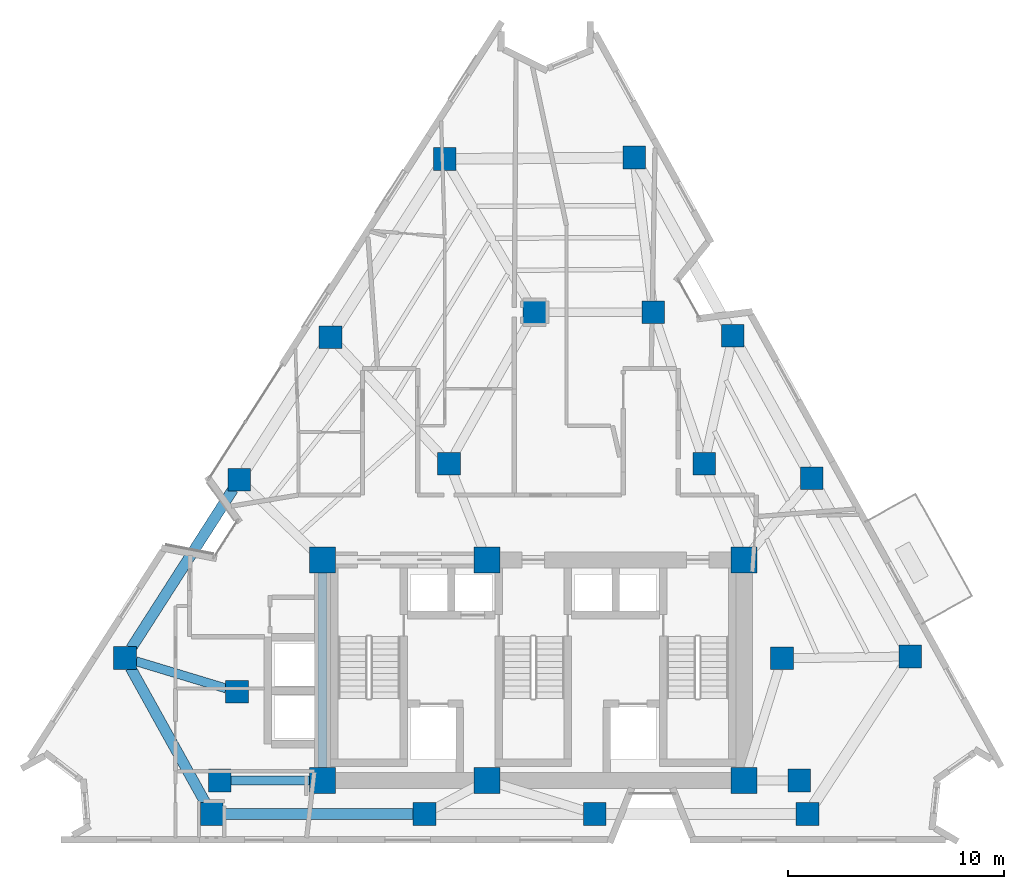
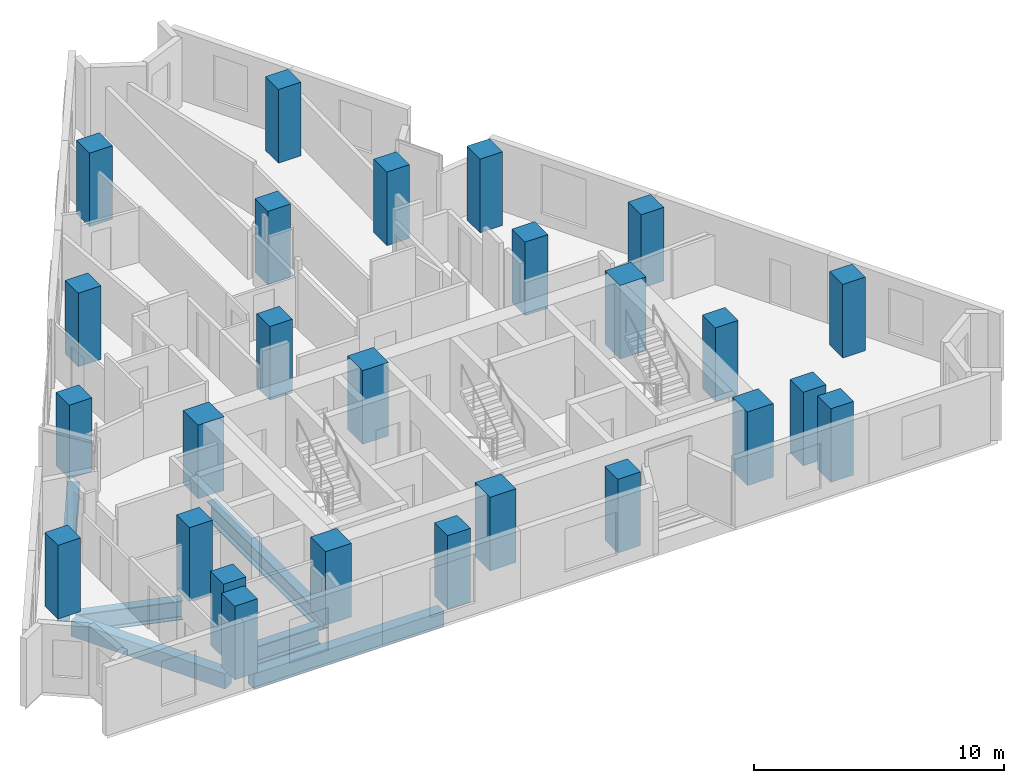
# One storey, part 1 of 11: 26 columns, 6 beams.
"""IFC4 building model written with IfcOpenShell, lengths in metres."""

from ifc_helpers import new_model, si_unit, direction, frame, origin, origin_2d, place, context, subcontext, project, spatial, rectangle, i_section, extrude, material, material_profile, profile_set, type_object, element, save


model = new_model("IFC4")

# Units and contexts
model_context = context("Model", 3, precision=1e-05, world=origin(), true_north=direction((0.0, 1.0)))
body_context = subcontext(model_context, "Body", "Model", "MODEL_VIEW")
ifc_project = project(units=[si_unit("LENGTHUNIT", "METRE"), si_unit("AREAUNIT", "SQUARE_METRE"), si_unit("VOLUMEUNIT", "CUBIC_METRE"), si_unit("PLANEANGLEUNIT", "RADIAN"), si_unit("MASSUNIT", "GRAM", prefix="KILO")], contexts=[model_context])

# Site, building, storey
site_placement = place(None, origin())
site = spatial("IfcSite", under=ifc_project, at=site_placement, CompositionType="ELEMENT")
building_placement = place(site_placement, origin())
building = spatial("IfcBuilding", under=site, at=building_placement, Name="Almagre Mirador Tower", CompositionType="ELEMENT")
storey_placement = place(building_placement, frame((0.0, 0.0, 160.800048828125)))
storey = spatial("IfcBuildingStorey", under=building, at=storey_placement, Name="L41", CompositionType="ELEMENT", Elevation=160.800048828125)

# Columns
ifc_material_1 = material(Name="Concrete C60/75", Category="concrete")
ifc_material_profile_1 = material_profile(ifc_material_1, rectangle(XDim=1.050048828125, YDim=1.050048828125, at=origin_2d()), Name="RC1050X1050")
ifc_profile_set_1 = profile_set([ifc_material_profile_1], Name="Concrete C60/75")
column_type_1 = type_object("IfcColumnType", Name="COL-RC1050", PredefinedType="COLUMN", material=ifc_profile_set_1)
for number, where, z_axis, x_axis, name in (
    (1, (22.800048828125, 4.550048828125, 0.0), (0.0, 0.0, 1.0), (1.0, 0.0, 0.0), "L41 interior transfer column MC1"),
    (2, (49.60009765625, 4.550048828125, 0.0), (0.0, 0.0, 1.0), (1.0, 0.0, 0.0), "L41 interior transfer column MC2"),
    (3, (48.800048828125, 10.199951171875, 0.0), (0.0, 0.0, 1.0), (1.0, 0.0, 0.0), "L41 interior transfer column MC3"),
    (4, (45.199951171875, 19.199951171875, 0.0), (0.0, 0.0, 1.0), (1.0, 0.0, 0.0), "L41 interior transfer column MC5"),
    (5, (42.85009765625, 26.199951171875, 0.0), (0.0, 0.0, 1.0), (1.0, 0.0, 0.0), "L41 interior transfer column MC6"),
    (6, (37.35009765625, 26.199951171875, 0.0), (0.0, 0.0, 1.0), (1.0, 0.0, 0.0), "L41 interior transfer column MC7"),
    (7, (33.39990234375, 19.199951171875, 0.0), (0.0, 0.0, 1.0), (1.0, 0.0, 0.0), "L41 interior transfer column MC8"),
    (8, (23.60009765625, 8.64990234375, 0.0), (0.0, 0.0, 1.0), (1.0, 0.0, 0.0), "L41 interior transfer column MC10"),
    (9, (22.424072265625, 3.0, 0.0), (0.0, 0.0, 1.0), (1.0, 0.0, 0.0), "L41 perimeter column PC01"),
    (10, (32.263916015625, 3.0, 0.0), (0.0, 0.0, 1.0), (1.0, 0.0, 0.0), "L41 perimeter column PC02"),
    (11, (40.135986328125, 3.0, 0.0), (0.0, 0.0, 1.0), (1.0, 0.0, 0.0), "L41 perimeter column PC03"),
    (12, (49.97607421875, 3.0, 0.0), (0.0, 0.0, 1.0), (1.0, 0.0, 0.0), "L41 perimeter column PC04"),
    (13, (54.73388671875, 10.282958984375, 0.0), (0.0, 0.0, 1.0), (1.0, 0.0, 0.0), "L41 perimeter column PC05"),
    (14, (50.174072265625, 18.52294921875, 0.0), (0.0, 0.0, 1.0), (1.0, 0.0, 0.0), "L41 perimeter column PC06"),
    (15, (46.52587890625, 25.114990234375, 0.0), (0.0, 0.0, 1.0), (1.0, 0.0, 0.0), "L41 perimeter column PC07"),
    (16, (41.966064453125, 33.35498046875, 0.0), (0.0, 0.0, 1.0), (1.0, 0.0, 0.0), "L41 perimeter column PC08"),
    (17, (33.201904296875, 33.2890625, 0.0), (0.0, 0.0, 1.0), (1.0, 0.0, 0.0), "L41 perimeter column PC09"),
    (18, (27.922119140625, 25.049072265625, 0.0), (0.0, 0.0, 1.0), (1.0, 0.0, 0.0), "L41 perimeter column PC10"),
    (19, (23.697998046875, 18.45703125, 0.0), (0.0, 0.0, 1.0), (1.0, 0.0, 0.0), "L41 perimeter column PC11"),
    (20, (18.41796875, 10.217041015625, 0.0), (0.0, 0.0, 1.0), (1.0, 0.0, 0.0), "L41 perimeter column PC12"),
):
    element("IfcColumn", number, at=place(storey_placement, frame(where, z_axis=z_axis, x_axis=x_axis)), inside=storey, type_object=column_type_1, Name=name, PredefinedType="COLUMN", context=body_context, shape_type="SweptSolid", body=[
        extrude(rectangle(XDim=1.050048828125, YDim=1.050048828125, at=origin_2d()), origin(), (0.0, 0.0, 1.0), 3.599853515625),
    ])
ifc_material_2 = material(Name="Concrete C60/75", Category="concrete")
ifc_material_profile_2 = material_profile(ifc_material_2, rectangle(XDim=1.199951171875, YDim=1.199951171875, at=origin_2d()), Name="RC1200X1200")
ifc_profile_set_2 = profile_set([ifc_material_profile_2], Name="Concrete C60/75")
column_type_2 = type_object("IfcColumnType", Name="COL-RC1200", PredefinedType="COLUMN", material=ifc_profile_set_2)
for number, where, z_axis, x_axis, name in (
    (21, (27.550048828125, 4.550048828125, 0.0), (0.0, 0.0, 1.0), (1.0, 0.0, 0.0), "L41 core spine column CC1"),
    (22, (35.14990234375, 4.550048828125, 0.0), (0.0, 0.0, 1.0), (1.0, 0.0, 0.0), "L41 core spine column CC2"),
    (23, (47.050048828125, 4.550048828125, 0.0), (0.0, 0.0, 1.0), (1.0, 0.0, 0.0), "L41 core spine column CC3"),
    (24, (27.550048828125, 14.75, 0.0), (0.0, 0.0, 1.0), (1.0, 0.0, 0.0), "L41 core spine column CC4"),
    (25, (35.14990234375, 14.75, 0.0), (0.0, 0.0, 1.0), (1.0, 0.0, 0.0), "L41 core spine column CC5"),
    (26, (47.050048828125, 14.75, 0.0), (0.0, 0.0, 1.0), (1.0, 0.0, 0.0), "L41 core spine column CC6"),
):
    element("IfcColumn", number, at=place(storey_placement, frame(where, z_axis=z_axis, x_axis=x_axis)), inside=storey, type_object=column_type_2, Name=name, PredefinedType="COLUMN", context=body_context, shape_type="SweptSolid", body=[
        extrude(rectangle(XDim=1.199951171875, YDim=1.199951171875, at=origin_2d()), origin(), (0.0, 0.0, 1.0), 3.599853515625),
    ])

# Beams
ifc_material_3 = material(Name="Precast concrete C50/60", Category="concrete")
ifc_material_profile_3 = material_profile(ifc_material_3, rectangle(XDim=0.5, YDim=0.75, at=origin_2d()), Name="RC500X750")
ifc_profile_set_3 = profile_set([ifc_material_profile_3], Name="Precast concrete C50/60")
beam_type_1 = type_object("IfcBeamType", Name="BM-SPN-RC500X750", PredefinedType="SPANDREL", material=ifc_profile_set_3)
beam_1_placement = place(storey_placement, frame((22.948974609375, 3.0, -0.625), z_axis=(1.0, 0.0, 0.0), x_axis=(0.0, 1.0, 0.0)))
element("IfcBeam", 27, at=beam_1_placement, inside=storey, type_object=beam_type_1, Name="L41 perimeter spandrel beam PC01-PC02", PredefinedType="SPANDREL", context=body_context, shape_type="SweptSolid", body=[
    extrude(rectangle(XDim=0.5, YDim=0.75, at=origin_2d()), origin(), (0.0, 0.0, 1.0), 8.7900390625),
])
beam_2_placement = place(storey_placement, frame((23.414794921875, 18.014892578125, -0.625), z_axis=(-0.539525433851, -0.841969302426, 0.0), x_axis=(0.841969302426, -0.539525433851, 0.0)))
element("IfcBeam", 28, at=beam_2_placement, inside=storey, type_object=beam_type_1, Name="L41 perimeter spandrel beam PC11-PC12", PredefinedType="SPANDREL", context=body_context, shape_type="SweptSolid", body=[
    extrude(rectangle(XDim=0.5, YDim=0.75, at=origin_2d()), origin(), (0.0, 0.0, 1.0), 8.736572265625),
])
beam_3_placement = place(storey_placement, frame((18.6728515625, 9.758056640625, -0.625), z_axis=(0.48530913158, -0.874342636959, 0.0), x_axis=(0.874342636959, 0.48530913158, 0.0)))
element("IfcBeam", 29, at=beam_3_placement, inside=storey, type_object=beam_type_1, Name="L41 perimeter spandrel beam PC12-PC01", PredefinedType="SPANDREL", context=body_context, shape_type="SweptSolid", body=[
    extrude(rectangle(XDim=0.5, YDim=0.75, at=origin_2d()), origin(), (0.0, 0.0, 1.0), 7.204345703125),
])
ifc_material_4 = material(Name="Steel ASTM A992 Grade 50", Category="steel")
ifc_material_profile_4 = material_profile(ifc_material_4, i_section(OverallWidth=0.404052734375, OverallDepth=0.884033203125, WebThickness=0.0244140625, FlangeThickness=0.0439453125, FilletRadius=0.02490234375, at=origin_2d()), Name="W33X291")
ifc_profile_set_4 = profile_set([ifc_material_profile_4], Name="Steel ASTM A992 Grade 50")
beam_type_2 = type_object("IfcBeamType", Name="BM-STL-W33X291", PredefinedType="BEAM", material=ifc_profile_set_4)
beam_4_placement = place(storey_placement, frame((27.550048828125, 5.14990234375, -0.692138671875), z_axis=(0.0, 1.0, 0.0), x_axis=(-1.0, 0.0, 0.0)))
element("IfcBeam", 30, at=beam_4_placement, inside=storey, type_object=beam_type_2, Name="L41 core tie girder CC1-CC4", PredefinedType="BEAM", context=body_context, shape_type="SweptSolid", body=[
    extrude(i_section(OverallWidth=0.404052734375, OverallDepth=0.884033203125, WebThickness=0.0244140625, FlangeThickness=0.0439453125, FilletRadius=0.02490234375, at=origin_2d()), origin(), (0.0, 0.0, 1.0), 9.0),
])
beam_5_placement = place(storey_placement, frame((23.324951171875, 4.550048828125, -0.692138671875), z_axis=(1.0, 0.0, 0.0), x_axis=(0.0, 1.0, 0.0)))
element("IfcBeam", 31, at=beam_5_placement, inside=storey, type_object=beam_type_2, Name="L41 core tie girder MC1-CC1", PredefinedType="BEAM", context=body_context, shape_type="SweptSolid", body=[
    extrude(i_section(OverallWidth=0.404052734375, OverallDepth=0.884033203125, WebThickness=0.0244140625, FlangeThickness=0.0439453125, FilletRadius=0.02490234375, at=origin_2d()), origin(), (0.0, 0.0, 1.0), 3.625),
])
ifc_material_5 = material(Name="Steel ASTM A992 Grade 50", Category="steel")
ifc_material_profile_5 = material_profile(ifc_material_5, i_section(OverallWidth=0.41796875, OverallDepth=0.927001953125, WebThickness=0.019287109375, FlangeThickness=0.031982421875, FilletRadius=0.028076171875, at=origin_2d()), Name="W36X231")
ifc_profile_set_5 = profile_set([ifc_material_profile_5], Name="Steel ASTM A992 Grade 50")
beam_type_3 = type_object("IfcBeamType", Name="BM-STL-W36X231", PredefinedType="BEAM", material=ifc_profile_set_5)
beam_6_placement = place(storey_placement, frame((18.92041015625, 10.06494140625, -0.713623046875), z_axis=(0.957203497828, -0.289415728229, 0.0), x_axis=(0.289415728229, 0.957203497828, 0.0)))
element("IfcBeam", 32, at=beam_6_placement, inside=storey, type_object=beam_type_3, Name="L41 radial floor girder PC12-MC10", PredefinedType="BEAM", context=body_context, shape_type="SweptSolid", body=[
    extrude(i_section(OverallWidth=0.41796875, OverallDepth=0.927001953125, WebThickness=0.019287109375, FlangeThickness=0.031982421875, FilletRadius=0.028076171875, at=origin_2d()), origin(), (0.0, 0.0, 1.0), 4.36376953125),
])

save(model, "model.ifc")
